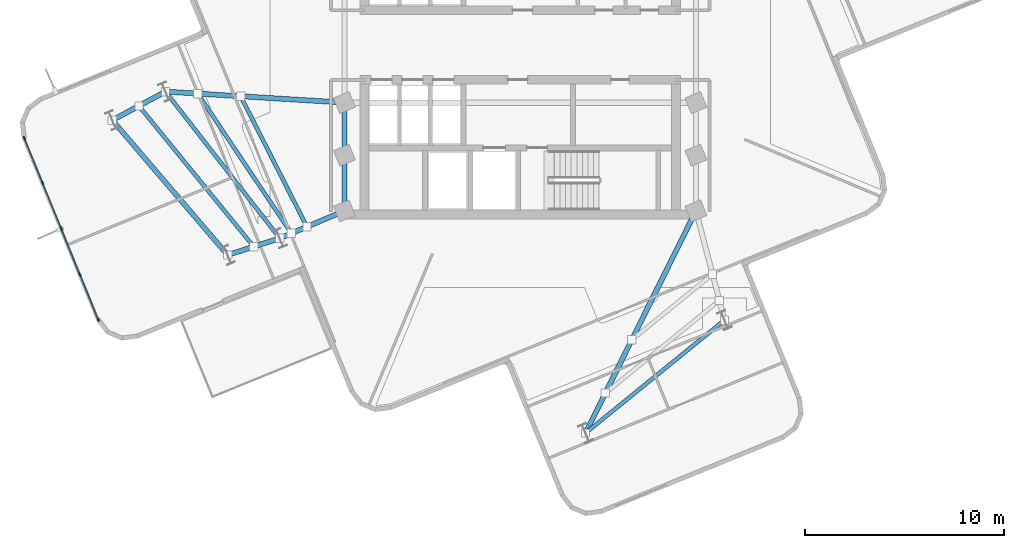
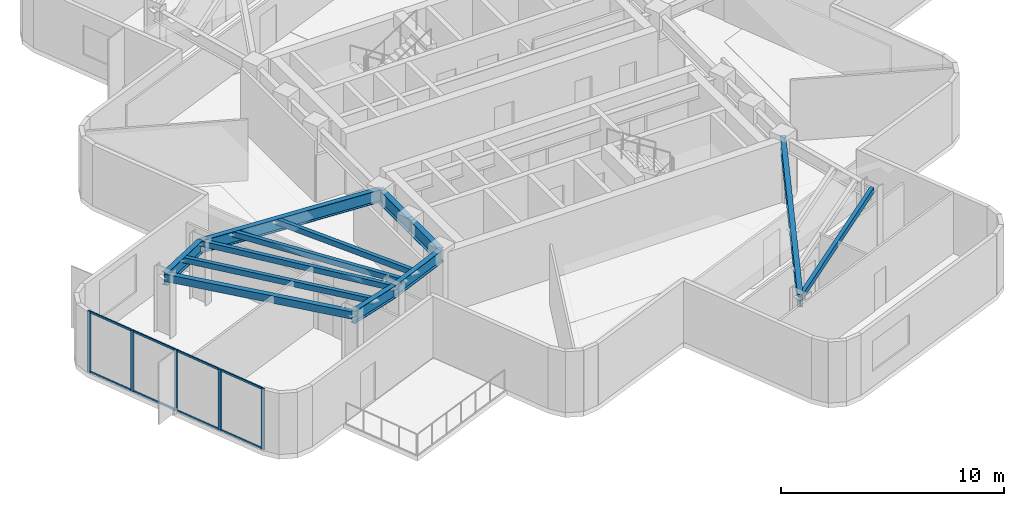
# One storey, part 2 of 11: 13 beams, 13 members, 1 element without a shape of its own.
"""IFC4 building model written with IfcOpenShell, lengths in metres."""

from ifc_helpers import new_model, si_unit, direction, frame, origin, origin_2d, place, context, subcontext, project, spatial, rectangle, hollow_rectangle, i_section, extrude, material, layer, layer_set, material_profile, profile_set, type_object, element, aggregate, save


model = new_model("IFC4")

# Units and contexts
model_context = context("Model", 3, precision=1e-05, world=origin(), true_north=direction((0.0, 1.0)))
body_context = subcontext(model_context, "Body", "Model", "MODEL_VIEW")
ifc_project = project(units=[si_unit("LENGTHUNIT", "METRE"), si_unit("AREAUNIT", "SQUARE_METRE"), si_unit("VOLUMEUNIT", "CUBIC_METRE"), si_unit("PLANEANGLEUNIT", "RADIAN"), si_unit("MASSUNIT", "GRAM", prefix="KILO")], contexts=[model_context])

# Site, building, storey
site_placement = place(None, origin())
site = spatial("IfcSite", under=ifc_project, at=site_placement, CompositionType="ELEMENT")
building_placement = place(site_placement, origin())
building = spatial("IfcBuilding", under=site, at=building_placement, Name="Solmarez Civic Tower", CompositionType="ELEMENT")
storey_placement = place(building_placement, frame((0.0, 0.0, 177.47998046875)))
storey = spatial("IfcBuildingStorey", under=building, at=storey_placement, Name="L47", CompositionType="ELEMENT", Elevation=177.47998046875)

# Beams
ifc_material_1 = material(Name="Steel S355", Category="steel")
ifc_material_profile_1 = material_profile(ifc_material_1, hollow_rectangle(XDim=0.199951171875, YDim=0.300048828125, WallThickness=0.011962890625, at=origin_2d()), Name="HSS300X200X12")
ifc_profile_set_1 = profile_set([ifc_material_profile_1], Name="Steel S355")
beam_type_1 = type_object("IfcBeamType", Name="BM-JS-HSS300X200", PredefinedType="JOIST", material=ifc_profile_set_1)
beam_1_placement = place(storey_placement, frame((-17.85791015625, -2.345947265625, 3.18994140625), z_axis=(0.614476744631, -0.788934934141, 0.0), x_axis=(0.788934934141, 0.614476744631, 0.0)))
element("IfcBeam", 1, at=beam_1_placement, inside=storey, type_object=beam_type_1, Name="L47 Secondary Floor Joist BM-L47-WA-T1", PredefinedType="JOIST", context=body_context, shape_type="SweptSolid", body=[
    extrude(hollow_rectangle(XDim=0.199951171875, YDim=0.300048828125, WallThickness=0.011962890625, at=origin_2d()), origin(), (0.0, 0.0, 1.0), 9.36083984375),
])
beam_2_placement = place(storey_placement, frame((-19.197021484375, -3.06689453125, 3.18994140625), z_axis=(0.632062174253, -0.77491767813, 0.0), x_axis=(0.77491767813, 0.632062174253, 0.0)))
element("IfcBeam", 2, at=beam_2_placement, inside=storey, type_object=beam_type_1, Name="L47 Secondary Floor Joist JS-L47-WA-M2", PredefinedType="JOIST", context=body_context, shape_type="SweptSolid", body=[
    extrude(hollow_rectangle(XDim=0.199951171875, YDim=0.300048828125, WallThickness=0.011962890625, at=origin_2d()), origin(), (0.0, 0.0, 1.0), 9.14306640625),
])
beam_3_placement = place(storey_placement, frame((-14.074951171875, -2.5791015625, 3.18994140625), z_axis=(0.452743410654, -0.891640849282, 0.0), x_axis=(0.891640849282, 0.452743410654, 0.0)))
element("IfcBeam", 3, at=beam_3_placement, inside=storey, type_object=beam_type_1, Name="L47 Secondary Floor Joist JS-L47-WA-M11", PredefinedType="JOIST", context=body_context, shape_type="SweptSolid", body=[
    extrude(hollow_rectangle(XDim=0.199951171875, YDim=0.300048828125, WallThickness=0.011962890625, at=origin_2d()), origin(), (0.0, 0.0, 1.0), 7.370361328125),
])
beam_4_placement = place(storey_placement, frame((-16.237060546875, -2.446044921875, 3.18994140625), z_axis=(0.556859935783, -0.830606412159, 0.0), x_axis=(0.830606412159, 0.556859935783, 0.0)))
element("IfcBeam", 4, at=beam_4_placement, inside=storey, type_object=beam_type_1, Name="L47 Secondary Floor Joist JS-L47-WA-M12", PredefinedType="JOIST", context=body_context, shape_type="SweptSolid", body=[
    extrude(hollow_rectangle(XDim=0.199951171875, YDim=0.300048828125, WallThickness=0.011962890625, at=origin_2d()), origin(), (0.0, 0.0, 1.0), 8.470703125),
])
beam_5_placement = place(storey_placement, frame((3.2900390625, -19.535888671875, 3.18994140625), z_axis=(0.776206737012, 0.630478470225, 0.0), x_axis=(-0.630478470225, 0.776206737012, 0.0)))
element("IfcBeam", 5, at=beam_5_placement, inside=storey, type_object=beam_type_1, Name="L47 Secondary Floor Joist BM-L47-SA-T1", PredefinedType="JOIST", context=body_context, shape_type="SweptSolid", body=[
    extrude(hollow_rectangle(XDim=0.199951171875, YDim=0.300048828125, WallThickness=0.011962890625, at=origin_2d()), origin(), (0.0, 0.0, 1.0), 9.018310546875),
])
ifc_material_profile_2 = material_profile(ifc_material_1, i_section(OverallWidth=0.25390625, OverallDepth=0.68798828125, WebThickness=0.01318359375, FlangeThickness=0.02099609375, at=origin_2d()), Name="W27X102")
ifc_profile_set_2 = profile_set([ifc_material_profile_2], Name="Steel S355")
beam_type_2 = type_object("IfcBeamType", Name="BM-PR-W27X102", PredefinedType="BEAM", material=ifc_profile_set_2)
beam_6_placement = place(storey_placement, frame((-8.85009765625, -2.89990234375, 2.99609375), z_axis=(-0.998114395047, 0.061381221877, 0.0), x_axis=(-0.061381221877, -0.998114395047, 0.0)))
element("IfcBeam", 6, at=beam_6_placement, inside=storey, type_object=beam_type_2, Name="L47 Primary Floor Beam BM-L47-WA-R1A", PredefinedType="BEAM", context=body_context, shape_type="SweptSolid", body=[
    extrude(i_section(OverallWidth=0.25390625, OverallDepth=0.68798828125, WebThickness=0.01318359375, FlangeThickness=0.02099609375, at=origin_2d()), origin(), (0.0, 0.0, 1.0), 9.02490234375),
])
beam_7_placement = place(storey_placement, frame((-8.85009765625, -8.35009765625, 2.99609375), z_axis=(-0.920623894701, -0.390450566019, 0.0), x_axis=(0.390450566019, -0.920623894701, 0.0)))
element("IfcBeam", 7, at=beam_7_placement, inside=storey, type_object=beam_type_2, Name="L47 Primary Floor Beam BM-L47-WA-R1B", PredefinedType="BEAM", context=body_context, shape_type="SweptSolid", body=[
    extrude(i_section(OverallWidth=0.25390625, OverallDepth=0.68798828125, WebThickness=0.01318359375, FlangeThickness=0.02099609375, at=origin_2d()), origin(), (0.0, 0.0, 1.0), 3.53662109375),
])
beam_8_placement = place(storey_placement, frame((-17.85791015625, -2.345947265625, 2.99609375), z_axis=(-0.880378270924, -0.474272179329, 0.0), x_axis=(0.474272179329, -0.880378270924, 0.0)))
element("IfcBeam", 8, at=beam_8_placement, inside=storey, type_object=beam_type_2, Name="L47 Primary Floor Beam BM-L47-WA-R2A", PredefinedType="BEAM", context=body_context, shape_type="SweptSolid", body=[
    extrude(i_section(OverallWidth=0.25390625, OverallDepth=0.68798828125, WebThickness=0.01318359375, FlangeThickness=0.02099609375, at=origin_2d()), origin(), (0.0, 0.0, 1.0), 3.040771484375),
])
beam_9_placement = place(storey_placement, frame((-12.10595703125, -9.73095703125, 2.99609375), z_axis=(-0.952208998703, -0.305447250421, 0.0), x_axis=(0.305447250421, -0.952208998703, 0.0)))
element("IfcBeam", 9, at=beam_9_placement, inside=storey, type_object=beam_type_2, Name="L47 Primary Floor Beam BM-L47-WA-R2B", PredefinedType="BEAM", context=body_context, shape_type="SweptSolid", body=[
    extrude(i_section(OverallWidth=0.25390625, OverallDepth=0.68798828125, WebThickness=0.01318359375, FlangeThickness=0.02099609375, at=origin_2d()), origin(), (0.0, 0.0, 1.0), 2.7568359375),
])
beam_10_placement = place(storey_placement, frame((8.85009765625, -8.35009765625, 2.99609375), z_axis=(-0.44510935737, -0.895476219663, 0.0), x_axis=(0.895476219663, -0.44510935737, 0.0)))
element("IfcBeam", 10, at=beam_10_placement, inside=storey, type_object=beam_type_2, Name="L47 Primary Floor Beam BM-L47-SA-R1A", PredefinedType="BEAM", context=body_context, shape_type="SweptSolid", body=[
    extrude(i_section(OverallWidth=0.25390625, OverallDepth=0.68798828125, WebThickness=0.01318359375, FlangeThickness=0.02099609375, at=origin_2d()), origin(), (0.0, 0.0, 1.0), 12.491455078125),
])
ifc_material_profile_3 = material_profile(ifc_material_1, i_section(OverallWidth=0.26708984375, OverallDepth=0.761962890625, WebThickness=0.014404296875, FlangeThickness=0.021484375, at=origin_2d()), Name="W30X116")
ifc_profile_set_3 = profile_set([ifc_material_profile_3], Name="Steel S355")
beam_type_3 = type_object("IfcBeamType", Name="BM-PR-W30X116", PredefinedType="BEAM", material=ifc_profile_set_3)
beam_11_placement = place(storey_placement, frame((-8.85009765625, -8.35009765625, 2.958984375), z_axis=(0.0, 1.0, 0.0), x_axis=(-1.0, 0.0, 0.0)))
element("IfcBeam", 11, at=beam_11_placement, inside=storey, type_object=beam_type_3, Name="L47 Primary Floor Beam BM-L47-HC12-HC1", PredefinedType="BEAM", context=body_context, shape_type="SweptSolid", body=[
    extrude(i_section(OverallWidth=0.26708984375, OverallDepth=0.761962890625, WebThickness=0.014404296875, FlangeThickness=0.021484375, at=origin_2d()), origin(), (0.0, 0.0, 1.0), 2.800048828125),
])
beam_12_placement = place(storey_placement, frame((-8.85009765625, -5.550048828125, 2.958984375), z_axis=(0.0, 1.0, 0.0), x_axis=(-1.0, 0.0, 0.0)))
element("IfcBeam", 12, at=beam_12_placement, inside=storey, type_object=beam_type_3, Name="L47 Primary Floor Beam BM-L47-HC1-HC2", PredefinedType="BEAM", context=body_context, shape_type="SweptSolid", body=[
    extrude(i_section(OverallWidth=0.26708984375, OverallDepth=0.761962890625, WebThickness=0.014404296875, FlangeThickness=0.021484375, at=origin_2d()), origin(), (0.0, 0.0, 1.0), 2.650146484375),
])
ifc_material_profile_4 = material_profile(ifc_material_1, hollow_rectangle(XDim=0.25, YDim=0.39990234375, WallThickness=0.01611328125, at=origin_2d()), Name="HSS400X250X16")
ifc_profile_set_4 = profile_set([ifc_material_profile_4], Name="Steel S355")
beam_type_4 = type_object("IfcBeamType", Name="BM-SP-HSS400X250", PredefinedType="SPANDREL", material=ifc_profile_set_4)
beam_13_placement = place(storey_placement, frame((-20.534912109375, -3.7880859375, 3.14013671875), z_axis=(0.650036693718, -0.759902820642, 0.0), x_axis=(0.759902820642, 0.650036693718, 0.0)))
element("IfcBeam", 13, at=beam_13_placement, inside=storey, type_object=beam_type_4, Name="L47 Perimeter Spandrel Beam BM-L47-WA-T2", PredefinedType="SPANDREL", context=body_context, shape_type="SweptSolid", body=[
    extrude(hollow_rectangle(XDim=0.25, YDim=0.39990234375, WallThickness=0.01611328125, at=origin_2d()), origin(), (0.0, 0.0, 1.0), 8.9287109375),
])

# Curtain wall, members
ifc_material_2 = material(Name="Bronze Anodised Aluminium EN AW-6063 T6", Category="aluminium")
ifc_layer = layer(ifc_material_2, 0.155029296875)
ifc_layer_set = layer_set([ifc_layer], Name="Bronze Anodised Aluminium EN AW-6063 T6")
curtain_wall_type = type_object("IfcCurtainWallType", Name="CW-SYS-6", PredefinedType="NOTDEFINED", material=ifc_layer_set)
curtain_wall_placement = place(storey_placement, origin())
curtain_wall = element("IfcCurtainWall", 14, at=curtain_wall_placement, inside=storey, type_object=curtain_wall_type, Name="L47 Stick-Built Curtain Wall 1", PredefinedType="NOTDEFINED")
ifc_material_profile_5 = material_profile(ifc_material_2, rectangle(XDim=0.070068359375, YDim=0.179931640625, at=origin_2d()), Name="CWM-70X180")
ifc_profile_set_5 = profile_set([ifc_material_profile_5], Name="Bronze Anodised Aluminium EN AW-6063 T6")
member_type_1 = type_object("IfcMemberType", Name="CWM-TYPE-2", PredefinedType="MULLION", material=ifc_profile_set_5)
member_1_placement = place(storey_placement, frame((-21.2412109375, -13.82568359375, 0.0), z_axis=(0.0, 0.0, 1.0), x_axis=(-0.925908687472, -0.377747405635, 0.0)))
member_1 = element("IfcMember", 15, at=member_1_placement, type_object=member_type_1, Name="CWS6 mullion 1", PredefinedType="MULLION", context=body_context, shape_type="SweptSolid", body=[
    extrude(rectangle(XDim=0.070068359375, YDim=0.179931640625, at=origin_2d()), origin(), (0.0, 0.0, 1.0), 3.340087890625),
])
member_2_placement = place(storey_placement, frame((-22.166748046875, -11.556884765625, 0.0), z_axis=(0.0, 0.0, 1.0), x_axis=(-0.925908687472, -0.377747405635, 0.0)))
member_2 = element("IfcMember", 16, at=member_2_placement, type_object=member_type_1, Name="CWS6 mullion 2", PredefinedType="MULLION", context=body_context, shape_type="SweptSolid", body=[
    extrude(rectangle(XDim=0.070068359375, YDim=0.179931640625, at=origin_2d()), origin(), (0.0, 0.0, 1.0), 3.340087890625),
])
member_3_placement = place(storey_placement, frame((-23.10546875, -9.256103515625, 0.0), z_axis=(0.0, 0.0, 1.0), x_axis=(-0.925908687472, -0.377747405635, 0.0)))
member_3 = element("IfcMember", 17, at=member_3_placement, type_object=member_type_1, Name="CWS6 mullion 3", PredefinedType="MULLION", context=body_context, shape_type="SweptSolid", body=[
    extrude(rectangle(XDim=0.070068359375, YDim=0.179931640625, at=origin_2d()), origin(), (0.0, 0.0, 1.0), 3.340087890625),
])
member_4_placement = place(storey_placement, frame((-24.044189453125, -6.955078125, 0.0), z_axis=(0.0, 0.0, 1.0), x_axis=(-0.925908687472, -0.377747405635, 0.0)))
member_4 = element("IfcMember", 18, at=member_4_placement, type_object=member_type_1, Name="CWS6 mullion 4", PredefinedType="MULLION", context=body_context, shape_type="SweptSolid", body=[
    extrude(rectangle(XDim=0.070068359375, YDim=0.179931640625, at=origin_2d()), origin(), (0.0, 0.0, 1.0), 3.340087890625),
])
member_5_placement = place(storey_placement, frame((-24.9697265625, -4.6865234375, 0.0), z_axis=(0.0, 0.0, 1.0), x_axis=(-0.925908687472, -0.377747405635, 0.0)))
member_5 = element("IfcMember", 19, at=member_5_placement, type_object=member_type_1, Name="CWS6 mullion 5", PredefinedType="MULLION", context=body_context, shape_type="SweptSolid", body=[
    extrude(rectangle(XDim=0.070068359375, YDim=0.179931640625, at=origin_2d()), origin(), (0.0, 0.0, 1.0), 3.340087890625),
])
ifc_material_profile_6 = material_profile(ifc_material_2, rectangle(XDim=0.06005859375, YDim=0.110107421875, at=origin_2d()), Name="CWT-60X110")
ifc_profile_set_6 = profile_set([ifc_material_profile_6], Name="Bronze Anodised Aluminium EN AW-6063 T6")
member_type_2 = type_object("IfcMemberType", Name="CWT-TYPE-3", PredefinedType="USERDEFINED", material=ifc_profile_set_6)
member_6_placement = place(storey_placement, frame((-21.25439453125, -13.793212890625, 0.030029296875), z_axis=(-0.377766007009, 0.925901098362, 0.0), x_axis=(-0.925901098362, -0.377766007009, 0.0)))
member_6 = element("IfcMember", 20, at=member_6_placement, type_object=member_type_2, Name="CWS6 transom 1.1", ObjectType="TRANSOM", PredefinedType="USERDEFINED", context=body_context, shape_type="SweptSolid", body=[
    extrude(rectangle(XDim=0.06005859375, YDim=0.110107421875, at=origin_2d()), origin(), (0.0, 0.0, 1.0), 2.380126953125),
])
member_7_placement = place(storey_placement, frame((-21.25439453125, -13.793212890625, 3.31005859375), z_axis=(-0.377766007009, 0.925901098362, 0.0), x_axis=(-0.925901098362, -0.377766007009, 0.0)))
member_7 = element("IfcMember", 21, at=member_7_placement, type_object=member_type_2, Name="CWS6 transom 1.2", ObjectType="TRANSOM", PredefinedType="USERDEFINED", context=body_context, shape_type="SweptSolid", body=[
    extrude(rectangle(XDim=0.06005859375, YDim=0.110107421875, at=origin_2d()), origin(), (0.0, 0.0, 1.0), 2.380126953125),
])
member_8_placement = place(storey_placement, frame((-22.179931640625, -11.524658203125, 0.030029296875), z_axis=(-0.377743149924, 0.925910423683, 0.0), x_axis=(-0.925910423683, -0.377743149924, 0.0)))
member_8 = element("IfcMember", 22, at=member_8_placement, type_object=member_type_2, Name="CWS6 transom 2.1", ObjectType="TRANSOM", PredefinedType="USERDEFINED", context=body_context, shape_type="SweptSolid", body=[
    extrude(rectangle(XDim=0.06005859375, YDim=0.110107421875, at=origin_2d()), origin(), (0.0, 0.0, 1.0), 2.415283203125),
])
member_9_placement = place(storey_placement, frame((-22.179931640625, -11.524658203125, 3.31005859375), z_axis=(-0.377743149924, 0.925910423683, 0.0), x_axis=(-0.925910423683, -0.377743149924, 0.0)))
member_9 = element("IfcMember", 23, at=member_9_placement, type_object=member_type_2, Name="CWS6 transom 2.2", ObjectType="TRANSOM", PredefinedType="USERDEFINED", context=body_context, shape_type="SweptSolid", body=[
    extrude(rectangle(XDim=0.06005859375, YDim=0.110107421875, at=origin_2d()), origin(), (0.0, 0.0, 1.0), 2.415283203125),
])
member_10_placement = place(storey_placement, frame((-23.11865234375, -9.2236328125, 0.030029296875), z_axis=(-0.377743149924, 0.925910423683, 0.0), x_axis=(-0.925910423683, -0.377743149924, 0.0)))
member_10 = element("IfcMember", 24, at=member_10_placement, type_object=member_type_2, Name="CWS6 transom 3.1", ObjectType="TRANSOM", PredefinedType="USERDEFINED", context=body_context, shape_type="SweptSolid", body=[
    extrude(rectangle(XDim=0.06005859375, YDim=0.110107421875, at=origin_2d()), origin(), (0.0, 0.0, 1.0), 2.415283203125),
])
member_11_placement = place(storey_placement, frame((-23.11865234375, -9.2236328125, 3.31005859375), z_axis=(-0.377743149924, 0.925910423683, 0.0), x_axis=(-0.925910423683, -0.377743149924, 0.0)))
member_11 = element("IfcMember", 25, at=member_11_placement, type_object=member_type_2, Name="CWS6 transom 3.2", ObjectType="TRANSOM", PredefinedType="USERDEFINED", context=body_context, shape_type="SweptSolid", body=[
    extrude(rectangle(XDim=0.06005859375, YDim=0.110107421875, at=origin_2d()), origin(), (0.0, 0.0, 1.0), 2.415283203125),
])
member_12_placement = place(storey_placement, frame((-24.057373046875, -6.922607421875, 0.030029296875), z_axis=(-0.377766007009, 0.925901098362, 0.0), x_axis=(-0.925901098362, -0.377766007009, 0.0)))
member_12 = element("IfcMember", 26, at=member_12_placement, type_object=member_type_2, Name="CWS6 transom 4.1", ObjectType="TRANSOM", PredefinedType="USERDEFINED", context=body_context, shape_type="SweptSolid", body=[
    extrude(rectangle(XDim=0.06005859375, YDim=0.110107421875, at=origin_2d()), origin(), (0.0, 0.0, 1.0), 2.380126953125),
])
member_13_placement = place(storey_placement, frame((-24.057373046875, -6.922607421875, 3.31005859375), z_axis=(-0.377766007009, 0.925901098362, 0.0), x_axis=(-0.925901098362, -0.377766007009, 0.0)))
member_13 = element("IfcMember", 27, at=member_13_placement, type_object=member_type_2, Name="CWS6 transom 4.2", ObjectType="TRANSOM", PredefinedType="USERDEFINED", context=body_context, shape_type="SweptSolid", body=[
    extrude(rectangle(XDim=0.06005859375, YDim=0.110107421875, at=origin_2d()), origin(), (0.0, 0.0, 1.0), 2.380126953125),
])
aggregate(curtain_wall, [member_1, member_2, member_3, member_4, member_5, member_6, member_7, member_8, member_9, member_10, member_11, member_12, member_13])

save(model, "model.ifc")
